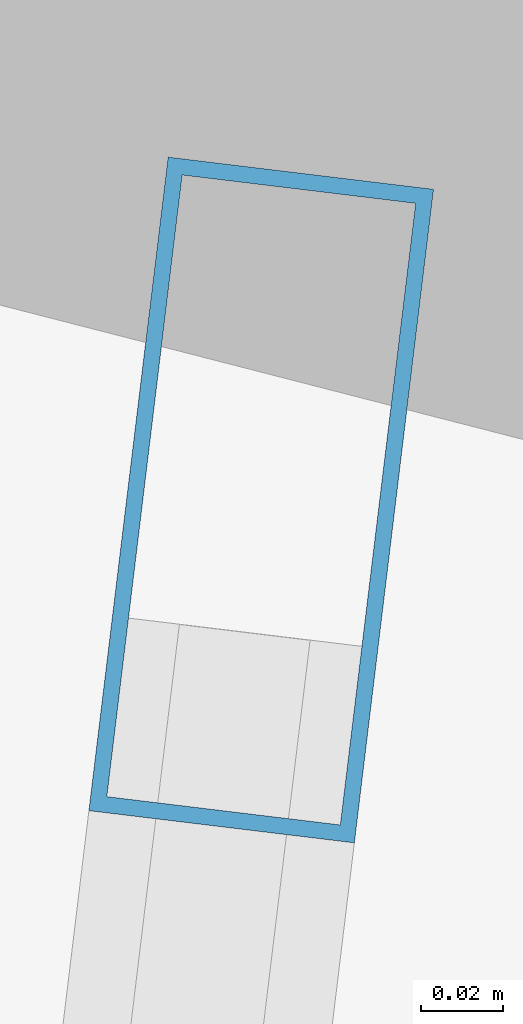
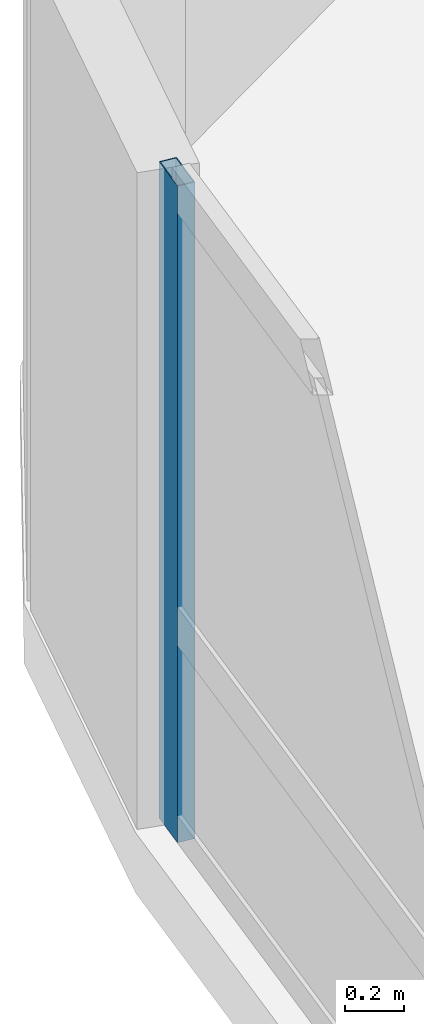
# One storey, part 12 of 26: 1 member, 1 element without a shape of its own.
"""IFC4 building model written with IfcOpenShell, lengths in metres."""

from ifc_helpers import new_model, si_unit, direction, frame, origin, origin_2d, place, context, subcontext, project, spatial, hollow_rectangle, extrude, material, layer, layer_set, material_profile, profile_set, type_object, element, aggregate, save


model = new_model("IFC4")

# Units and contexts
model_context = context("Model", 3, precision=1e-05, world=origin(), true_north=direction((0.0, 1.0)))
body_context = subcontext(model_context, "Body", "Model", "MODEL_VIEW")
ifc_project = project(units=[si_unit("LENGTHUNIT", "METRE"), si_unit("AREAUNIT", "SQUARE_METRE"), si_unit("VOLUMEUNIT", "CUBIC_METRE"), si_unit("PLANEANGLEUNIT", "RADIAN"), si_unit("MASSUNIT", "GRAM", prefix="KILO")], contexts=[model_context])

# Site, building, storey
site_placement = place(None, origin())
site = spatial("IfcSite", under=ifc_project, at=site_placement, CompositionType="ELEMENT")
building_placement = place(site_placement, origin())
building = spatial("IfcBuilding", under=site, at=building_placement, Name="Varnelok Gate Tower", CompositionType="ELEMENT")
storey_placement = place(building_placement, frame((0.0, 0.0, 121.699951171875)))
storey = spatial("IfcBuildingStorey", under=building, at=storey_placement, Name="L30", CompositionType="ELEMENT", Elevation=121.699951171875)

# Curtain wall, member
ifc_material = material(Name="Anodized Aluminum Alloy 6063-T6", Category="aluminium")
ifc_layer = layer(ifc_material, 0.179931640625)
ifc_layer_set = layer_set([ifc_layer], Name="Anodized Aluminum Alloy 6063-T6")
curtain_wall_type = type_object("IfcCurtainWallType", Name="CW3-HOTEL-VISION", PredefinedType="USERDEFINED", material=ifc_layer_set)
curtain_wall_placement = place(storey_placement, origin())
curtain_wall = element("IfcCurtainWall", 1, at=curtain_wall_placement, inside=storey, type_object=curtain_wall_type, Name="L30 West End Vision Curtain Wall", ObjectType="UNITISED CURTAIN WALL", PredefinedType="USERDEFINED")
ifc_material_profile = material_profile(ifc_material, hollow_rectangle(XDim=0.06494140625, YDim=0.159912109375, WallThickness=0.00390625, at=origin_2d()), Name="ALU160X65X4")
ifc_profile_set = profile_set([ifc_material_profile], Name="Anodized Aluminum Alloy 6063-T6")
member_type = type_object("IfcMemberType", Name="CW-MULL-160", PredefinedType="MULLION", material=ifc_profile_set)
member_placement = place(storey_placement, frame((4.57177734375, 47.596923828125, 0.0), z_axis=(0.0, 0.0, 1.0), x_axis=(-0.99273188146, 0.120347046212, 0.0)))
member = element("IfcMember", 2, at=member_placement, type_object=member_type, Name="CW3 mullion 6", PredefinedType="MULLION", context=body_context, shape_type="SweptSolid", body=[
    extrude(hollow_rectangle(XDim=0.06494140625, YDim=0.159912109375, WallThickness=0.00390625, at=origin_2d()), origin(), (0.0, 0.0, 1.0), 2.72998046875),
])
aggregate(curtain_wall, [member])

save(model, "model.ifc")
